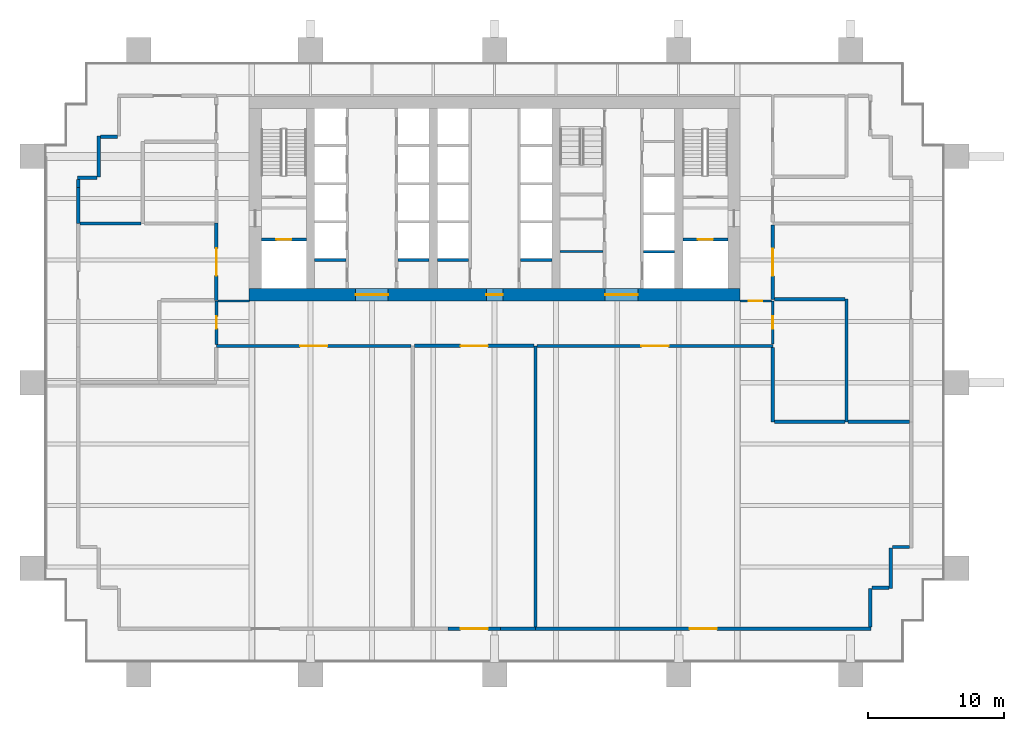
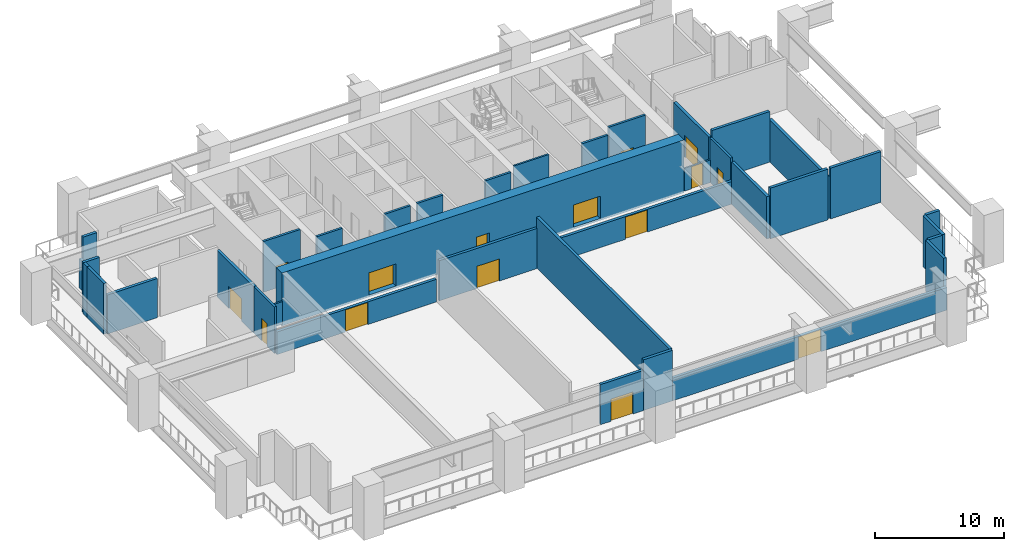
# One storey, part 3 of 11: 37 walls, 15 doors, 15 openings.
"""IFC4 building model written with IfcOpenShell, lengths in metres."""

from ifc_helpers import new_model, si_unit, direction, frame, frame_2d, origin, place, context, subcontext, project, spatial, rectangle, extrude, material, layer, layer_set, type_object, element, fill, save


model = new_model("IFC4")

# Units and contexts
model_context = context("Model", 3, precision=1e-05, world=origin(), true_north=direction((0.0, 1.0)))
body_context = subcontext(model_context, "Body", "Model", "MODEL_VIEW")
ifc_project = project(units=[si_unit("LENGTHUNIT", "METRE"), si_unit("AREAUNIT", "SQUARE_METRE"), si_unit("VOLUMEUNIT", "CUBIC_METRE"), si_unit("PLANEANGLEUNIT", "RADIAN"), si_unit("MASSUNIT", "GRAM", prefix="KILO")], contexts=[model_context])

# Site, building, storey
site_placement = place(None, origin())
site = spatial("IfcSite", under=ifc_project, at=site_placement, CompositionType="ELEMENT")
building_placement = place(site_placement, origin())
building = spatial("IfcBuilding", under=site, at=building_placement, Name="Rattan Terrace Tower", CompositionType="ELEMENT")
storey_placement = place(building_placement, frame((0.0, 0.0, 69.300048828125)))
storey = spatial("IfcBuildingStorey", under=building, at=storey_placement, Name="L15", CompositionType="ELEMENT", Elevation=69.300048828125)

# Wall
ifc_material_1 = material(Name="Gypsum board partition")
ifc_layer_1 = layer(ifc_material_1, 0.14990234375)
ifc_layer_set_1 = layer_set([ifc_layer_1], Name="Core partition 150")
wall_type_1 = type_object("IfcWallType", Name="Core partition 150", PredefinedType="PARTITIONING", material=ifc_layer_set_1)
wall_1_placement = place(storey_placement, frame((4.800048828125, -3.8798828125, 0.0), z_axis=(0.0, 0.0, 1.0), x_axis=(1.0, 0.0, 0.0)))
element("IfcWall", 1, at=wall_1_placement, inside=storey, type_object=wall_type_1, Name="Toilet wall", PredefinedType="PARTITIONING", context=body_context, shape_type="SweptSolid", body=[
    extrude(rectangle(XDim=3.14990234375, YDim=0.14990234375, at=frame_2d((1.574951171875, 0.0))), origin(), (0.0, 0.0, 1.0), 4.800048828125),
])

# Wall, opening, door
ifc_material_2 = material(Name="Gypsum board partition")
ifc_layer_2 = layer(ifc_material_2, 0.199951171875)
ifc_layer_set_2 = layer_set([ifc_layer_2], Name="Core partition 200")
wall_type_2 = type_object("IfcWallType", Name="Core partition 200", PredefinedType="PARTITIONING", material=ifc_layer_set_2)
wall_2_placement = place(storey_placement, frame((-17.10009765625, -3.0, 0.0), z_axis=(0.0, 0.0, 1.0), x_axis=(1.0, 0.0, 0.0)))
wall_2 = element("IfcWall", 2, at=wall_2_placement, inside=storey, type_object=wall_type_2, Name="Fire-fighting lobby wall", PredefinedType="PARTITIONING", context=body_context, shape_type="SweptSolid", body=[
    extrude(rectangle(XDim=3.300048828125, YDim=0.199951171875, at=frame_2d((1.64990234375, 0.0))), origin(), (0.0, 0.0, 1.0), 4.800048828125),
])
opening_1_placement = place(wall_2_placement, frame((1.10009765625, 0.0, 0.0)))
opening_1 = element("IfcOpeningElement", 3, at=opening_1_placement, cuts=wall_2, Name="Opening L15-LD-FF1", PredefinedType="OPENING", context=body_context, shape_type="SweptSolid", body=[
    extrude(rectangle(XDim=1.10009765625, YDim=2.10009765625, at=frame_2d((0.550048828125, 1.050048828125))), frame((0.0, 0.110595703125, 0.0), z_axis=(0.0, -1.0, 0.0), x_axis=(1.0, 0.0, 0.0)), (0.0, 0.0, 1.0), 0.220947265625),
])
ifc_material_3 = material(Name="Brushed stainless landing door panel")
door_type_1 = type_object("IfcDoorType", Name="Core lift landing door 1100", OperationType="DOUBLE_DOOR_SLIDING", PredefinedType="DOOR", material=ifc_material_3)
door_1_placement = place(opening_1_placement, origin())
door_1 = element("IfcDoor", 4, at=door_1_placement, inside=storey, type_object=door_type_1, Name="Door L15-LD-FF1", OperationType="DOUBLE_DOOR_SLIDING", OverallHeight=2.10009765625, OverallWidth=1.10009765625, PredefinedType="DOOR", context=body_context, shape_type="SweptSolid", body=[
    extrude(rectangle(XDim=1.10009765625, YDim=2.10009765625, at=frame_2d((0.550048828125, 1.050048828125))), frame((0.0, 0.02490234375, 0.0), z_axis=(0.0, -1.0, 0.0), x_axis=(1.0, 0.0, 0.0)), (0.0, 0.0, 1.0), 0.050048828125),
])
fill(opening_1, door_1)

wall_3_placement = place(storey_placement, frame((13.800048828125, -3.0, 0.0), z_axis=(0.0, 0.0, 1.0), x_axis=(1.0, 0.0, 0.0)))
wall_3 = element("IfcWall", 5, at=wall_3_placement, inside=storey, type_object=wall_type_2, Name="Fire-fighting lobby wall", PredefinedType="PARTITIONING", context=body_context, shape_type="SweptSolid", body=[
    extrude(rectangle(XDim=3.300048828125, YDim=0.199951171875, at=frame_2d((1.64990234375, 0.0))), origin(), (0.0, 0.0, 1.0), 4.800048828125),
])
opening_2_placement = place(wall_3_placement, frame((1.10009765625, 0.0, 0.0)))
opening_2 = element("IfcOpeningElement", 6, at=opening_2_placement, cuts=wall_3, Name="Opening L15-LD-FF2", PredefinedType="OPENING", context=body_context, shape_type="SweptSolid", body=[
    extrude(rectangle(XDim=1.10009765625, YDim=2.10009765625, at=frame_2d((0.550048828125, 1.050048828125))), frame((0.0, 0.110595703125, 0.0), z_axis=(0.0, -1.0, 0.0), x_axis=(1.0, 0.0, 0.0)), (0.0, 0.0, 1.0), 0.220947265625),
])
door_2_placement = place(opening_2_placement, origin())
door_2 = element("IfcDoor", 7, at=door_2_placement, inside=storey, type_object=door_type_1, Name="Door L15-LD-FF2", OperationType="DOUBLE_DOOR_SLIDING", OverallHeight=2.10009765625, OverallWidth=1.10009765625, PredefinedType="DOOR", context=body_context, shape_type="SweptSolid", body=[
    extrude(rectangle(XDim=1.10009765625, YDim=2.10009765625, at=frame_2d((0.550048828125, 1.050048828125))), frame((0.0, 0.02490234375, 0.0), z_axis=(0.0, -1.0, 0.0), x_axis=(1.0, 0.0, 0.0)), (0.0, 0.0, 1.0), 0.050048828125),
])
fill(opening_2, door_2)

# Wall, openings, doors
ifc_material_4 = material(Name="Concrete C70/85", Category="concrete")
ifc_layer_3 = layer(ifc_material_4, 0.89990234375)
ifc_layer_set_3 = layer_set([ifc_layer_3], Name="Core ring wall 900 C70/85")
wall_type_3 = type_object("IfcWallType", Name="Core ring wall 900 C70/85", PredefinedType="SHEAR", material=ifc_layer_set_3)
wall_4_placement = place(storey_placement, frame((-18.0, -7.050048828125, -0.199951171875), z_axis=(0.0, 0.0, 1.0), x_axis=(1.0, 0.0, 0.0)))
wall_4 = element("IfcWall", 8, at=wall_4_placement, inside=storey, type_object=wall_type_3, Name="Rear core wall south", PredefinedType="SHEAR", context=body_context, shape_type="SweptSolid", body=[
    extrude(rectangle(XDim=36.0, YDim=0.89990234375, at=frame_2d((18.0, 0.0))), origin(), (0.0, 0.0, 1.0), 5.0),
])
opening_3_placement = place(wall_4_placement, frame((7.800048828125, 0.0, 0.199951171875)))
opening_3 = element("IfcOpeningElement", 9, at=opening_3_placement, cuts=wall_4, Name="Opening L15-D007", PredefinedType="OPENING", context=body_context, shape_type="SweptSolid", body=[
    extrude(rectangle(XDim=2.39990234375, YDim=2.10009765625, at=frame_2d((1.199951171875, 1.050048828125))), frame((0.0, 0.46044921875, 0.0), z_axis=(0.0, -1.0, 0.0), x_axis=(1.0, 0.0, 0.0)), (0.0, 0.0, 1.0), 0.9208984375),
])
opening_4_placement = place(wall_4_placement, frame((17.39990234375, 0.0, 0.199951171875)))
opening_4 = element("IfcOpeningElement", 10, at=opening_4_placement, cuts=wall_4, Name="Opening L15-D010", PredefinedType="OPENING", context=body_context, shape_type="SweptSolid", body=[
    extrude(rectangle(XDim=1.199951171875, YDim=2.10009765625, at=frame_2d((0.60009765625, 1.050048828125))), frame((0.0, 0.46044921875, 0.0), z_axis=(0.0, -1.0, 0.0), x_axis=(1.0, 0.0, 0.0)), (0.0, 0.0, 1.0), 0.9208984375),
])
opening_5_placement = place(wall_4_placement, frame((26.10009765625, 0.0, 0.199951171875)))
opening_5 = element("IfcOpeningElement", 11, at=opening_5_placement, cuts=wall_4, Name="Opening L15-D015", PredefinedType="OPENING", context=body_context, shape_type="SweptSolid", body=[
    extrude(rectangle(XDim=2.39990234375, YDim=2.10009765625, at=frame_2d((1.199951171875, 1.050048828125))), frame((0.0, 0.46044921875, 0.0), z_axis=(0.0, -1.0, 0.0), x_axis=(1.0, 0.0, 0.0)), (0.0, 0.0, 1.0), 0.9208984375),
])
ifc_material_5 = material(Name="Hollow-metal fire door leaf")
door_type_2 = type_object("IfcDoorType", Name="Core lift lobby door 2400", OperationType="NOTDEFINED", PredefinedType="DOOR", material=ifc_material_5)
door_3_placement = place(opening_3_placement, origin())
door_3 = element("IfcDoor", 12, at=door_3_placement, inside=storey, type_object=door_type_2, Name="Door L15-D007", OperationType="DOUBLE_DOOR_DOUBLE_SWING", OverallHeight=2.10009765625, OverallWidth=2.39990234375, PredefinedType="DOOR", context=body_context, shape_type="SweptSolid", body=[
    extrude(rectangle(XDim=2.39990234375, YDim=2.10009765625, at=frame_2d((1.199951171875, 1.050048828125))), frame((0.0, 0.02490234375, 0.0), z_axis=(0.0, -1.0, 0.0), x_axis=(1.0, 0.0, 0.0)), (0.0, 0.0, 1.0), 0.050048828125),
])
fill(opening_3, door_3)
door_4_placement = place(opening_5_placement, origin())
door_4 = element("IfcDoor", 13, at=door_4_placement, inside=storey, type_object=door_type_2, Name="Door L15-D015", OperationType="DOUBLE_DOOR_DOUBLE_SWING", OverallHeight=2.10009765625, OverallWidth=2.39990234375, PredefinedType="DOOR", context=body_context, shape_type="SweptSolid", body=[
    extrude(rectangle(XDim=2.39990234375, YDim=2.10009765625, at=frame_2d((1.199951171875, 1.050048828125))), frame((0.0, 0.02490234375, 0.0), z_axis=(0.0, -1.0, 0.0), x_axis=(1.0, 0.0, 0.0)), (0.0, 0.0, 1.0), 0.050048828125),
])
fill(opening_5, door_4)
ifc_material_6 = material(Name="Hollow-metal fire door leaf")
door_type_3 = type_object("IfcDoorType", Name="Core riser door 1200", OperationType="NOTDEFINED", PredefinedType="DOOR", material=ifc_material_6)
door_5_placement = place(opening_4_placement, origin())
door_5 = element("IfcDoor", 14, at=door_5_placement, inside=storey, type_object=door_type_3, Name="Door L15-D010", OperationType="SINGLE_SWING_RIGHT", OverallHeight=2.10009765625, OverallWidth=1.199951171875, PredefinedType="DOOR", context=body_context, shape_type="SweptSolid", body=[
    extrude(rectangle(XDim=1.199951171875, YDim=2.10009765625, at=frame_2d((0.60009765625, 1.050048828125))), frame((0.0, 0.02490234375, 0.0), z_axis=(0.0, -1.0, 0.0), x_axis=(1.0, 0.0, 0.0)), (0.0, 0.0, 1.0), 0.050048828125),
])
fill(opening_4, door_5)

# Wall, opening, door
ifc_material_7 = material(Name="Concrete block wall, plastered", Category="concrete")
ifc_layer_4 = layer(ifc_material_7, 0.199951171875)
ifc_layer_set_4 = layer_set([ifc_layer_4], Name="Floors Plant Wall 200")
wall_type_4 = type_object("IfcWallType", Name="Floors Plant Wall 200", PredefinedType="PARTITIONING", material=ifc_layer_set_4)
wall_5_placement = place(storey_placement, frame((-20.39990234375, -10.675048828125, 0.0), z_axis=(0.0, 0.0, 1.0), x_axis=(0.0, 1.0, 0.0)))
wall_5 = element("IfcWall", 15, at=wall_5_placement, inside=storey, type_object=wall_type_4, Name="pt-L15-003", PredefinedType="PARTITIONING", context=body_context, shape_type="SweptSolid", body=[
    extrude(rectangle(XDim=3.175048828125, YDim=0.199951171875, at=frame_2d((1.58740234375, 0.0))), origin(), (0.0, 0.0, 1.0), 4.39990234375),
])
opening_6_placement = place(wall_5_placement, frame((1.136962890625, 0.0, 0.0)))
opening_6 = element("IfcOpeningElement", 16, at=opening_6_placement, cuts=wall_5, Name="Opening L15-D101", PredefinedType="OPENING", context=body_context, shape_type="SweptSolid", body=[
    extrude(rectangle(XDim=0.89990234375, YDim=2.10009765625, at=frame_2d((0.449951171875, 1.050048828125))), frame((0.0, 0.110595703125, 0.0), z_axis=(0.0, -1.0, 0.0), x_axis=(1.0, 0.0, 0.0)), (0.0, 0.0, 1.0), 0.220947265625),
])
ifc_material_8 = material(Name="Steel fire door set", Category="steel")
door_type_4 = type_object("IfcDoorType", Name="Floors Fire Door FD60 900x2100", OperationType="NOTDEFINED", PredefinedType="DOOR", material=ifc_material_8)
door_6_placement = place(opening_6_placement, origin())
door_6 = element("IfcDoor", 17, at=door_6_placement, inside=storey, type_object=door_type_4, Name="d-L15-101", OperationType="SINGLE_SWING_RIGHT", OverallHeight=2.10009765625, OverallWidth=0.89990234375, PredefinedType="DOOR", context=body_context, shape_type="SweptSolid", body=[
    extrude(rectangle(XDim=0.89990234375, YDim=2.10009765625, at=frame_2d((0.449951171875, 1.050048828125))), frame((0.0, 0.02490234375, 0.0), z_axis=(0.0, -1.0, 0.0), x_axis=(1.0, 0.0, 0.0)), (0.0, 0.0, 1.0), 0.050048828125),
])
fill(opening_6, door_6)

wall_6_placement = place(storey_placement, frame((20.40087890625, -7.5, 0.0), z_axis=(0.0, 0.0, 1.0), x_axis=(0.0, -1.0, 0.0)))
wall_6 = element("IfcWall", 18, at=wall_6_placement, inside=storey, type_object=wall_type_4, Name="pt-L15-007", PredefinedType="PARTITIONING", context=body_context, shape_type="SweptSolid", body=[
    extrude(rectangle(XDim=3.175048828125, YDim=0.199951171875, at=frame_2d((1.58740234375, 0.0))), origin(), (0.0, 0.0, 1.0), 4.199951171875),
])
opening_7_placement = place(wall_6_placement, frame((1.136962890625, 0.0, 0.0)))
opening_7 = element("IfcOpeningElement", 19, at=opening_7_placement, cuts=wall_6, Name="Opening L15-D113", PredefinedType="OPENING", context=body_context, shape_type="SweptSolid", body=[
    extrude(rectangle(XDim=0.89990234375, YDim=2.10009765625, at=frame_2d((0.449951171875, 1.050048828125))), frame((0.0, 0.110595703125, 0.0), z_axis=(0.0, -1.0, 0.0), x_axis=(1.0, 0.0, 0.0)), (0.0, 0.0, 1.0), 0.220947265625),
])
door_7_placement = place(opening_7_placement, origin())
door_7 = element("IfcDoor", 20, at=door_7_placement, inside=storey, type_object=door_type_4, Name="d-L15-113", OperationType="SINGLE_SWING_RIGHT", OverallHeight=2.10009765625, OverallWidth=0.89990234375, PredefinedType="DOOR", context=body_context, shape_type="SweptSolid", body=[
    extrude(rectangle(XDim=0.89990234375, YDim=2.10009765625, at=frame_2d((0.449951171875, 1.050048828125))), frame((0.0, 0.02490234375, 0.0), z_axis=(0.0, -1.0, 0.0), x_axis=(1.0, 0.0, 0.0)), (0.0, 0.0, 1.0), 0.050048828125),
])
fill(opening_7, door_7)

ifc_material_9 = material(Name="Reinforced concrete wall, painted", Category="concrete")
ifc_layer_5 = layer(ifc_material_9, 0.25)
ifc_layer_set_5 = layer_set([ifc_layer_5], Name="Floors Refuge Wall 250")
wall_type_5 = type_object("IfcWallType", Name="Floors Refuge Wall 250", PredefinedType="PARTITIONING", material=ifc_layer_set_5)
wall_7_placement = place(storey_placement, frame((-6.125, -10.800048828125, 0.0), z_axis=(0.0, 0.0, 1.0), x_axis=(-1.0, 0.0, 0.0)))
wall_7 = element("IfcWall", 21, at=wall_7_placement, inside=storey, type_object=wall_type_5, Name="pt-L15-004", PredefinedType="PARTITIONING", context=body_context, shape_type="SweptSolid", body=[
    extrude(rectangle(XDim=14.27490234375, YDim=0.25, at=frame_2d((7.137451171875, 0.0))), origin(), (0.0, 0.0, 1.0), 2.14990234375),
])
opening_8_placement = place(wall_7_placement, frame((6.137939453125, 0.0, 0.0)))
opening_8 = element("IfcOpeningElement", 22, at=opening_8_placement, cuts=wall_7, Name="Opening L15-D107", PredefinedType="OPENING", context=body_context, shape_type="SweptSolid", body=[
    extrude(rectangle(XDim=2.0, YDim=2.10009765625, at=frame_2d((1.0, 1.050048828125))), frame((0.0, 0.135498046875, 0.0), z_axis=(0.0, -1.0, 0.0), x_axis=(1.0, 0.0, 0.0)), (0.0, 0.0, 1.0), 0.27099609375),
])
ifc_material_10 = material(Name="Steel fire door set", Category="steel")
door_type_5 = type_object("IfcDoorType", Name="Floors Plant Equipment Door Pair FD120 2000x2100", OperationType="NOTDEFINED", PredefinedType="DOOR", material=ifc_material_10)
door_8_placement = place(opening_8_placement, origin())
door_8 = element("IfcDoor", 23, at=door_8_placement, inside=storey, type_object=door_type_5, Name="d-L15-107", OperationType="DOUBLE_DOOR_SINGLE_SWING", OverallHeight=2.10009765625, OverallWidth=2.0, PredefinedType="DOOR", context=body_context, shape_type="SweptSolid", body=[
    extrude(rectangle(XDim=2.0, YDim=2.10009765625, at=frame_2d((1.0, 1.050048828125))), frame((0.0, 0.02490234375, 0.0), z_axis=(0.0, -1.0, 0.0), x_axis=(1.0, 0.0, 0.0)), (0.0, 0.0, 1.0), 0.050048828125),
])
fill(opening_8, door_8)

wall_8_placement = place(storey_placement, frame((2.875, -10.799072265625, 0.0), z_axis=(0.0, 0.0, 1.0), x_axis=(-1.0, 0.0, 0.0)))
wall_8 = element("IfcWall", 24, at=wall_8_placement, inside=storey, type_object=wall_type_5, Name="pt-L15-005", PredefinedType="PARTITIONING", context=body_context, shape_type="SweptSolid", body=[
    extrude(rectangle(XDim=8.75, YDim=0.25, at=frame_2d((4.375, 0.0))), origin(), (0.0, 0.0, 1.0), 3.800048828125),
])
opening_9_placement = place(wall_8_placement, frame((3.375, 0.0, 0.0)))
opening_9 = element("IfcOpeningElement", 25, at=opening_9_placement, cuts=wall_8, Name="Opening L15-D109", PredefinedType="OPENING", context=body_context, shape_type="SweptSolid", body=[
    extrude(rectangle(XDim=2.0, YDim=2.10009765625, at=frame_2d((1.0, 1.050048828125))), frame((0.0, 0.135498046875, 0.0), z_axis=(0.0, -1.0, 0.0), x_axis=(1.0, 0.0, 0.0)), (0.0, 0.0, 1.0), 0.27099609375),
])
door_9_placement = place(opening_9_placement, origin())
door_9 = element("IfcDoor", 26, at=door_9_placement, inside=storey, type_object=door_type_5, Name="d-L15-109", OperationType="DOUBLE_DOOR_SINGLE_SWING", OverallHeight=2.10009765625, OverallWidth=2.0, PredefinedType="DOOR", context=body_context, shape_type="SweptSolid", body=[
    extrude(rectangle(XDim=2.0, YDim=2.10009765625, at=frame_2d((1.0, 1.050048828125))), frame((0.0, 0.02490234375, 0.0), z_axis=(0.0, -1.0, 0.0), x_axis=(1.0, 0.0, 0.0)), (0.0, 0.0, 1.0), 0.050048828125),
])
fill(opening_9, door_9)

wall_9_placement = place(storey_placement, frame((20.39990234375, -10.800048828125, 0.0), z_axis=(0.0, 0.0, 1.0), x_axis=(-1.0, 0.0, 0.0)))
wall_9 = element("IfcWall", 27, at=wall_9_placement, inside=storey, type_object=wall_type_5, Name="pt-L15-006", PredefinedType="PARTITIONING", context=body_context, shape_type="SweptSolid", body=[
    extrude(rectangle(XDim=17.27490234375, YDim=0.25, at=frame_2d((8.637451171875, 0.0))), origin(), (0.0, 0.0, 1.0), 2.14990234375),
])
opening_10_placement = place(wall_9_placement, frame((7.637939453125, 0.0, 0.0)))
opening_10 = element("IfcOpeningElement", 28, at=opening_10_placement, cuts=wall_9, Name="Opening L15-D111", PredefinedType="OPENING", context=body_context, shape_type="SweptSolid", body=[
    extrude(rectangle(XDim=2.0, YDim=2.10009765625, at=frame_2d((1.0, 1.050048828125))), frame((0.0, 0.135498046875, 0.0), z_axis=(0.0, -1.0, 0.0), x_axis=(1.0, 0.0, 0.0)), (0.0, 0.0, 1.0), 0.27099609375),
])
door_10_placement = place(opening_10_placement, origin())
door_10 = element("IfcDoor", 29, at=door_10_placement, inside=storey, type_object=door_type_5, Name="d-L15-111", OperationType="DOUBLE_DOOR_SINGLE_SWING", OverallHeight=2.10009765625, OverallWidth=2.0, PredefinedType="DOOR", context=body_context, shape_type="SweptSolid", body=[
    extrude(rectangle(XDim=2.0, YDim=2.10009765625, at=frame_2d((1.0, 1.050048828125))), frame((0.0, 0.02490234375, 0.0), z_axis=(0.0, -1.0, 0.0), x_axis=(1.0, 0.0, 0.0)), (0.0, 0.0, 1.0), 0.050048828125),
])
fill(opening_10, door_10)

wall_10_placement = place(storey_placement, frame((-20.39990234375, -7.47509765625, 0.0), z_axis=(0.0, 0.0, 1.0), x_axis=(0.0, 1.0, 0.0)))
wall_10 = element("IfcWall", 30, at=wall_10_placement, inside=storey, type_object=wall_type_5, Name="pt-L15-008", PredefinedType="PARTITIONING", context=body_context, shape_type="SweptSolid", body=[
    extrude(rectangle(XDim=5.677001953125, YDim=0.25, at=frame_2d((2.83837890625, 0.0))), origin(), (0.0, 0.0, 1.0), 4.39990234375),
])
opening_11_placement = place(wall_10_placement, frame((1.837890625, 0.0, 0.0)))
opening_11 = element("IfcOpeningElement", 31, at=opening_11_placement, cuts=wall_10, Name="Opening L15-D102", PredefinedType="OPENING", context=body_context, shape_type="SweptSolid", body=[
    extrude(rectangle(XDim=2.0, YDim=2.10009765625, at=frame_2d((1.0, 1.050048828125))), frame((0.0, 0.135498046875, 0.0), z_axis=(0.0, -1.0, 0.0), x_axis=(1.0, 0.0, 0.0)), (0.0, 0.0, 1.0), 0.27099609375),
])
door_11_placement = place(opening_11_placement, origin())
door_11 = element("IfcDoor", 32, at=door_11_placement, inside=storey, type_object=door_type_5, Name="d-L15-102", OperationType="DOUBLE_DOOR_SINGLE_SWING", OverallHeight=2.10009765625, OverallWidth=2.0, PredefinedType="DOOR", context=body_context, shape_type="SweptSolid", body=[
    extrude(rectangle(XDim=2.0, YDim=2.10009765625, at=frame_2d((1.0, 1.050048828125))), frame((0.0, 0.02490234375, 0.0), z_axis=(0.0, -1.0, 0.0), x_axis=(1.0, 0.0, 0.0)), (0.0, 0.0, 1.0), 0.050048828125),
])
fill(opening_11, door_11)

wall_11_placement = place(storey_placement, frame((20.39892578125, -1.943115234375, 0.0), z_axis=(0.0, 0.0, 1.0), x_axis=(0.0, -1.0, 0.0)))
wall_11 = element("IfcWall", 33, at=wall_11_placement, inside=storey, type_object=wall_type_5, Name="pt-L15-011", PredefinedType="PARTITIONING", context=body_context, shape_type="SweptSolid", body=[
    extrude(rectangle(XDim=5.44091796875, YDim=0.25, at=frame_2d((2.720458984375, 0.0))), origin(), (0.0, 0.0, 1.0), 4.199951171875),
])
opening_12_placement = place(wall_11_placement, frame((1.720947265625, 0.0, 0.0)))
opening_12 = element("IfcOpeningElement", 34, at=opening_12_placement, cuts=wall_11, Name="Opening L15-D114", PredefinedType="OPENING", context=body_context, shape_type="SweptSolid", body=[
    extrude(rectangle(XDim=2.0, YDim=2.10009765625, at=frame_2d((1.0, 1.050048828125))), frame((0.0, 0.135498046875, 0.0), z_axis=(0.0, -1.0, 0.0), x_axis=(1.0, 0.0, 0.0)), (0.0, 0.0, 1.0), 0.27099609375),
])
door_12_placement = place(opening_12_placement, origin())
door_12 = element("IfcDoor", 35, at=door_12_placement, inside=storey, type_object=door_type_5, Name="d-L15-114", OperationType="DOUBLE_DOOR_SINGLE_SWING", OverallHeight=2.10009765625, OverallWidth=2.0, PredefinedType="DOOR", context=body_context, shape_type="SweptSolid", body=[
    extrude(rectangle(XDim=2.0, YDim=2.10009765625, at=frame_2d((1.0, 1.050048828125))), frame((0.0, 0.02490234375, 0.0), z_axis=(0.0, -1.0, 0.0), x_axis=(1.0, 0.0, 0.0)), (0.0, 0.0, 1.0), 0.050048828125),
])
fill(opening_12, door_12)

# Walls
wall_12_placement = place(storey_placement, frame((-30.4130859375, -1.818115234375, 0.0), z_axis=(0.0, 0.0, 1.0), x_axis=(1.0, 0.0, 0.0)))
element("IfcWall", 36, at=wall_12_placement, inside=storey, type_object=wall_type_5, Name="pt-L15-021", PredefinedType="PARTITIONING", context=body_context, shape_type="SweptSolid", body=[
    extrude(rectangle(XDim=4.488037109375, YDim=0.25, at=frame_2d((2.244140625, 0.0))), origin(), (0.0, 0.0, 1.0), 3.699951171875),
])
wall_13_placement = place(storey_placement, frame((-30.5390625, -1.818115234375, 0.0), z_axis=(0.0, 0.0, 1.0), x_axis=(0.0, 1.0, 0.0)))
element("IfcWall", 37, at=wall_13_placement, inside=storey, type_object=wall_type_5, Name="pt-L15-027", PredefinedType="PARTITIONING", context=body_context, shape_type="SweptSolid", body=[
    extrude(rectangle(XDim=2.6201171875, YDim=0.25, at=frame_2d((1.31005859375, 0.0))), origin(), (0.0, 0.0, 1.0), 4.800048828125),
])
wall_14_placement = place(storey_placement, frame((-30.60009765625, 1.5380859375, 0.0), z_axis=(0.0, 0.0, 1.0), x_axis=(1.0, 0.0, 0.0)))
element("IfcWall", 38, at=wall_14_placement, inside=storey, type_object=wall_type_5, Name="pt-L15-028", PredefinedType="PARTITIONING", context=body_context, shape_type="SweptSolid", body=[
    extrude(rectangle(XDim=1.43603515625, YDim=0.25, at=frame_2d((0.718017578125, 0.0))), origin(), (0.0, 0.0, 1.0), 4.800048828125),
])
wall_15_placement = place(storey_placement, frame((-30.5390625, 0.802001953125, 0.0), z_axis=(0.0, 0.0, 1.0), x_axis=(0.0, 1.0, 0.0)))
element("IfcWall", 39, at=wall_15_placement, inside=storey, type_object=wall_type_5, Name="pt-L15-029", PredefinedType="PARTITIONING", context=body_context, shape_type="SweptSolid", body=[
    extrude(rectangle(XDim=0.611083984375, YDim=0.25, at=frame_2d((0.3056640625, 0.0))), origin(), (0.0, 0.0, 1.0), 4.800048828125),
])
wall_16_placement = place(storey_placement, frame((-29.0390625, 1.60009765625, 0.0), z_axis=(0.0, 0.0, 1.0), x_axis=(0.0, 1.0, 0.0)))
element("IfcWall", 40, at=wall_16_placement, inside=storey, type_object=wall_type_5, Name="pt-L15-030", PredefinedType="PARTITIONING", context=body_context, shape_type="SweptSolid", body=[
    extrude(rectangle(XDim=3.0, YDim=0.25, at=frame_2d((1.5, 0.0))), origin(), (0.0, 0.0, 1.0), 2.75),
])
wall_17_placement = place(storey_placement, frame((-28.9140625, 4.5380859375, 0.0), z_axis=(0.0, 0.0, 1.0), x_axis=(1.0, 0.0, 0.0)))
element("IfcWall", 41, at=wall_17_placement, inside=storey, type_object=wall_type_5, Name="pt-L15-031", PredefinedType="PARTITIONING", context=body_context, shape_type="SweptSolid", body=[
    extrude(rectangle(XDim=1.25, YDim=0.25, at=frame_2d((0.625, 0.0))), origin(), (0.0, 0.0, 1.0), 4.800048828125),
])
wall_18_placement = place(storey_placement, frame((3.0, -10.800048828125, 0.0), z_axis=(0.0, 0.0, 1.0), x_axis=(0.0, -1.0, 0.0)))
element("IfcWall", 42, at=wall_18_placement, inside=storey, type_object=wall_type_5, Name="pt-L15-041", PredefinedType="PARTITIONING", context=body_context, shape_type="SweptSolid", body=[
    extrude(rectangle(XDim=20.613037109375, YDim=0.25, at=frame_2d((10.306640625, 0.0))), origin(), (0.0, 0.0, 1.0), 4.800048828125),
])
wall_19_placement = place(storey_placement, frame((3.0, -31.5390625, 0.0), z_axis=(0.0, 0.0, 1.0), x_axis=(-1.0, 0.0, 0.0)))
element("IfcWall", 43, at=wall_19_placement, inside=storey, type_object=wall_type_5, Name="pt-L15-042", PredefinedType="PARTITIONING", context=body_context, shape_type="SweptSolid", body=[
    extrude(rectangle(XDim=2.580078125, YDim=0.25, at=frame_2d((1.2900390625, 0.0))), origin(), (0.0, 0.0, 1.0), 4.800048828125),
])

# Wall, opening, door
wall_20_placement = place(storey_placement, frame((-3.419921875, -31.5380859375, 0.0), z_axis=(0.0, 0.0, 1.0), x_axis=(1.0, 0.0, 0.0)))
wall_20 = element("IfcWall", 44, at=wall_20_placement, inside=storey, type_object=wall_type_5, Name="pt-L15-044", PredefinedType="PARTITIONING", context=body_context, shape_type="SweptSolid", body=[
    extrude(rectangle(XDim=3.83984375, YDim=0.25, at=frame_2d((1.919921875, 0.0))), origin(), (0.0, 0.0, 1.0), 3.800048828125),
])
opening_13_placement = place(wall_20_placement, frame((0.919921875, 0.0, 0.0)))
opening_13 = element("IfcOpeningElement", 45, at=opening_13_placement, cuts=wall_20, Name="Opening L15-D110", PredefinedType="OPENING", context=body_context, shape_type="SweptSolid", body=[
    extrude(rectangle(XDim=2.0, YDim=2.10009765625, at=frame_2d((1.0, 1.050048828125))), frame((0.0, 0.135498046875, 0.0), z_axis=(0.0, -1.0, 0.0), x_axis=(1.0, 0.0, 0.0)), (0.0, 0.0, 1.0), 0.27099609375),
])
door_13_placement = place(opening_13_placement, origin())
door_13 = element("IfcDoor", 46, at=door_13_placement, inside=storey, type_object=door_type_5, Name="d-L15-110", OperationType="DOUBLE_DOOR_SINGLE_SWING", OverallHeight=2.10009765625, OverallWidth=2.0, PredefinedType="DOOR", context=body_context, shape_type="SweptSolid", body=[
    extrude(rectangle(XDim=2.0, YDim=2.10009765625, at=frame_2d((1.0, 1.050048828125))), frame((0.0, 0.02490234375, 0.0), z_axis=(0.0, -1.0, 0.0), x_axis=(1.0, 0.0, 0.0)), (0.0, 0.0, 1.0), 0.050048828125),
])
fill(opening_13, door_13)

# Walls
wall_21_placement = place(storey_placement, frame((20.40087890625, -10.925048828125, 0.0), z_axis=(0.0, 0.0, 1.0), x_axis=(0.0, -1.0, 0.0)))
element("IfcWall", 47, at=wall_21_placement, inside=storey, type_object=wall_type_5, Name="pt-L15-045", PredefinedType="PARTITIONING", context=body_context, shape_type="SweptSolid", body=[
    extrude(rectangle(XDim=5.43896484375, YDim=0.25, at=frame_2d((2.719482421875, 0.0))), origin(), (0.0, 0.0, 1.0), 4.0),
])
wall_22_placement = place(storey_placement, frame((20.52587890625, -16.365966796875, 0.0), z_axis=(0.0, 0.0, 1.0), x_axis=(1.0, 0.0, 0.0)))
element("IfcWall", 48, at=wall_22_placement, inside=storey, type_object=wall_type_5, Name="pt-L15-046", PredefinedType="PARTITIONING", context=body_context, shape_type="SweptSolid", body=[
    extrude(rectangle(XDim=5.149169921875, YDim=0.25, at=frame_2d((2.57470703125, 0.0))), origin(), (0.0, 0.0, 1.0), 4.800048828125),
])
wall_23_placement = place(storey_placement, frame((25.925048828125, -16.364013671875, 0.0), z_axis=(0.0, 0.0, 1.0), x_axis=(1.0, 0.0, 0.0)))
element("IfcWall", 49, at=wall_23_placement, inside=storey, type_object=wall_type_5, Name="pt-L15-047", PredefinedType="PARTITIONING", context=body_context, shape_type="SweptSolid", body=[
    extrude(rectangle(XDim=4.489013671875, YDim=0.25, at=frame_2d((2.24462890625, 0.0))), origin(), (0.0, 0.0, 1.0), 4.800048828125),
])
wall_24_placement = place(storey_placement, frame((27.5390625, -28.60009765625, 0.0), z_axis=(0.0, 0.0, 1.0), x_axis=(0.0, -1.0, 0.0)))
element("IfcWall", 50, at=wall_24_placement, inside=storey, type_object=wall_type_5, Name="pt-L15-048", PredefinedType="PARTITIONING", context=body_context, shape_type="SweptSolid", body=[
    extrude(rectangle(XDim=2.81298828125, YDim=0.25, at=frame_2d((1.406494140625, 0.0))), origin(), (0.0, 0.0, 1.0), 4.800048828125),
])

# Wall, opening, door
wall_25_placement = place(storey_placement, frame((3.0, -31.5380859375, 0.0), z_axis=(0.0, 0.0, 1.0), x_axis=(1.0, 0.0, 0.0)))
wall_25 = element("IfcWall", 51, at=wall_25_placement, inside=storey, type_object=wall_type_5, Name="pt-L15-049", PredefinedType="PARTITIONING", context=body_context, shape_type="SweptSolid", body=[
    extrude(rectangle(XDim=24.60009765625, YDim=0.25, at=frame_2d((12.300048828125, 0.0))), origin(), (0.0, 0.0, 1.0), 2.14990234375),
])
opening_14_placement = place(wall_25_placement, frame((11.300048828125, 0.0, 0.0)))
opening_14 = element("IfcOpeningElement", 52, at=opening_14_placement, cuts=wall_25, Name="Opening L15-D112", PredefinedType="OPENING", context=body_context, shape_type="SweptSolid", body=[
    extrude(rectangle(XDim=2.0, YDim=2.10009765625, at=frame_2d((1.0, 1.050048828125))), frame((0.0, 0.135498046875, 0.0), z_axis=(0.0, -1.0, 0.0), x_axis=(1.0, 0.0, 0.0)), (0.0, 0.0, 1.0), 0.27099609375),
])
door_14_placement = place(opening_14_placement, origin())
door_14 = element("IfcDoor", 53, at=door_14_placement, inside=storey, type_object=door_type_5, Name="d-L15-112", OperationType="DOUBLE_DOOR_SINGLE_SWING", OverallHeight=2.10009765625, OverallWidth=2.0, PredefinedType="DOOR", context=body_context, shape_type="SweptSolid", body=[
    extrude(rectangle(XDim=2.0, YDim=2.10009765625, at=frame_2d((1.0, 1.050048828125))), frame((0.0, 0.02490234375, 0.0), z_axis=(0.0, -1.0, 0.0), x_axis=(1.0, 0.0, 0.0)), (0.0, 0.0, 1.0), 0.050048828125),
])
fill(opening_14, door_14)

# Walls
wall_26_placement = place(storey_placement, frame((28.9140625, -28.5390625, 0.0), z_axis=(0.0, 0.0, 1.0), x_axis=(-1.0, 0.0, 0.0)))
element("IfcWall", 54, at=wall_26_placement, inside=storey, type_object=wall_type_5, Name="pt-L15-050", PredefinedType="PARTITIONING", context=body_context, shape_type="SweptSolid", body=[
    extrude(rectangle(XDim=1.25, YDim=0.25, at=frame_2d((0.625, 0.0))), origin(), (0.0, 0.0, 1.0), 4.800048828125),
])
wall_27_placement = place(storey_placement, frame((29.0390625, -25.60009765625, 0.0), z_axis=(0.0, 0.0, 1.0), x_axis=(0.0, -1.0, 0.0)))
element("IfcWall", 55, at=wall_27_placement, inside=storey, type_object=wall_type_5, Name="pt-L15-051", PredefinedType="PARTITIONING", context=body_context, shape_type="SweptSolid", body=[
    extrude(rectangle(XDim=3.0, YDim=0.25, at=frame_2d((1.5, 0.0))), origin(), (0.0, 0.0, 1.0), 4.800048828125),
])
wall_28_placement = place(storey_placement, frame((30.4140625, -25.5390625, 0.0), z_axis=(0.0, 0.0, 1.0), x_axis=(-1.0, 0.0, 0.0)))
element("IfcWall", 56, at=wall_28_placement, inside=storey, type_object=wall_type_5, Name="pt-L15-052", PredefinedType="PARTITIONING", context=body_context, shape_type="SweptSolid", body=[
    extrude(rectangle(XDim=1.25, YDim=0.25, at=frame_2d((0.625, 0.0))), origin(), (0.0, 0.0, 1.0), 4.800048828125),
])
wall_29_placement = place(storey_placement, frame((20.52392578125, -7.364013671875, 0.0), z_axis=(0.0, 0.0, 1.0), x_axis=(1.0, 0.0, 0.0)))
element("IfcWall", 57, at=wall_29_placement, inside=storey, type_object=wall_type_5, Name="pt-L15-054", PredefinedType="PARTITIONING", context=body_context, shape_type="SweptSolid", body=[
    extrude(rectangle(XDim=5.151123046875, YDim=0.25, at=frame_2d((2.57568359375, 0.0))), origin(), (0.0, 0.0, 1.0), 4.800048828125),
])
wall_30_placement = place(storey_placement, frame((25.800048828125, -7.364013671875, 0.0), z_axis=(0.0, 0.0, 1.0), x_axis=(0.0, -1.0, 0.0)))
element("IfcWall", 58, at=wall_30_placement, inside=storey, type_object=wall_type_5, Name="pt-L15-055", PredefinedType="PARTITIONING", context=body_context, shape_type="SweptSolid", body=[
    extrude(rectangle(XDim=9.0, YDim=0.25, at=frame_2d((4.5, 0.0))), origin(), (0.0, 0.0, 1.0), 4.0),
])
ifc_material_11 = material(Name="Gypsum board partition on steel studs, fire rated", Category="steel")
ifc_layer_6 = layer(ifc_material_11, 0.14990234375)
ifc_layer_set_6 = layer_set([ifc_layer_6], Name="Floors Tenancy Wall 150")
wall_type_6 = type_object("IfcWallType", Name="Floors Tenancy Wall 150", PredefinedType="PARTITIONING", material=ifc_layer_set_6)
wall_31_placement = place(storey_placement, frame((-20.27490234375, -7.5, 0.0), z_axis=(0.0, 0.0, 1.0), x_axis=(1.0, 0.0, 0.0)))
element("IfcWall", 59, at=wall_31_placement, inside=storey, type_object=wall_type_6, Name="pt-L15-001", PredefinedType="PARTITIONING", context=body_context, shape_type="SweptSolid", body=[
    extrude(rectangle(XDim=2.294921875, YDim=0.14990234375, at=frame_2d((1.1474609375, 0.0))), origin(), (0.0, 0.0, 1.0), 2.14990234375),
])

# Wall, opening, door
wall_32_placement = place(storey_placement, frame((17.97998046875, -7.5, 0.0), z_axis=(0.0, 0.0, 1.0), x_axis=(1.0, 0.0, 0.0)))
wall_32 = element("IfcWall", 60, at=wall_32_placement, inside=storey, type_object=wall_type_6, Name="pt-L15-002", PredefinedType="PARTITIONING", context=body_context, shape_type="SweptSolid", body=[
    extrude(rectangle(XDim=2.320068359375, YDim=0.14990234375, at=frame_2d((1.16015625, 0.0))), origin(), (0.0, 0.0, 1.0), 2.14990234375),
])
opening_15_placement = place(wall_32_placement, frame((0.659912109375, 0.0, 0.0)))
opening_15 = element("IfcOpeningElement", 61, at=opening_15_placement, cuts=wall_32, Name="Opening L15-D100", PredefinedType="OPENING", context=body_context, shape_type="SweptSolid", body=[
    extrude(rectangle(XDim=1.0, YDim=2.10009765625, at=frame_2d((0.5, 1.050048828125))), frame((0.0, 0.08544921875, 0.0), z_axis=(0.0, -1.0, 0.0), x_axis=(1.0, 0.0, 0.0)), (0.0, 0.0, 1.0), 0.1708984375),
])
ifc_material_12 = material(Name="Steel fire door set", Category="steel")
door_type_6 = type_object("IfcDoorType", Name="Floors Fire Door FD30S 1000x2100", OperationType="NOTDEFINED", PredefinedType="DOOR", material=ifc_material_12)
door_15_placement = place(opening_15_placement, origin())
door_15 = element("IfcDoor", 62, at=door_15_placement, inside=storey, type_object=door_type_6, Name="d-L15-100", OperationType="SINGLE_SWING_LEFT", OverallHeight=2.10009765625, OverallWidth=1.0, PredefinedType="DOOR", context=body_context, shape_type="SweptSolid", body=[
    extrude(rectangle(XDim=1.0, YDim=2.10009765625, at=frame_2d((0.5, 1.050048828125))), frame((0.0, 0.02490234375, 0.0), z_axis=(0.0, -1.0, 0.0), x_axis=(1.0, 0.0, 0.0)), (0.0, 0.0, 1.0), 0.050048828125),
])
fill(opening_15, door_15)

# Walls
ifc_material_13 = material(Name="Gypsum shaft wall system")
ifc_layer_7 = layer(ifc_material_13, 0.199951171875)
ifc_layer_set_7 = layer_set([ifc_layer_7], Name="Lift shaft wall 200")
wall_type_7 = type_object("IfcWallType", Name="Lift shaft wall 200", PredefinedType="PARTITIONING", material=ifc_layer_set_7)
for number, where, z_axis, x_axis, name in (
    (63, (-13.199951171875, -4.5, 0.0), (0.0, 0.0, 1.0), (1.0, 0.0, 0.0), "Lift shaft wall"),
    (64, (-7.10009765625, -4.5, 0.0), (0.0, 0.0, 1.0), (1.0, 0.0, 0.0), "Lift shaft wall"),
    (65, (-4.199951171875, -4.5, 0.0), (0.0, 0.0, 1.0), (1.0, 0.0, 0.0), "Lift shaft wall"),
    (66, (1.89990234375, -4.5, 0.0), (0.0, 0.0, 1.0), (1.0, 0.0, 0.0), "Lift shaft wall"),
    (67, (10.89990234375, -3.89990234375, 0.0), (0.0, 0.0, 1.0), (1.0, 0.0, 0.0), "Lift shaft wall"),
):
    element("IfcWall", number, at=place(storey_placement, frame(where, z_axis=z_axis, x_axis=x_axis)), inside=storey, type_object=wall_type_7, Name=name, PredefinedType="PARTITIONING", context=body_context, shape_type="SweptSolid", body=[
        extrude(rectangle(XDim=2.300048828125, YDim=0.199951171875, at=frame_2d((1.14990234375, 0.0))), origin(), (0.0, 0.0, 1.0), 4.800048828125),
    ])

save(model, "model.ifc")
